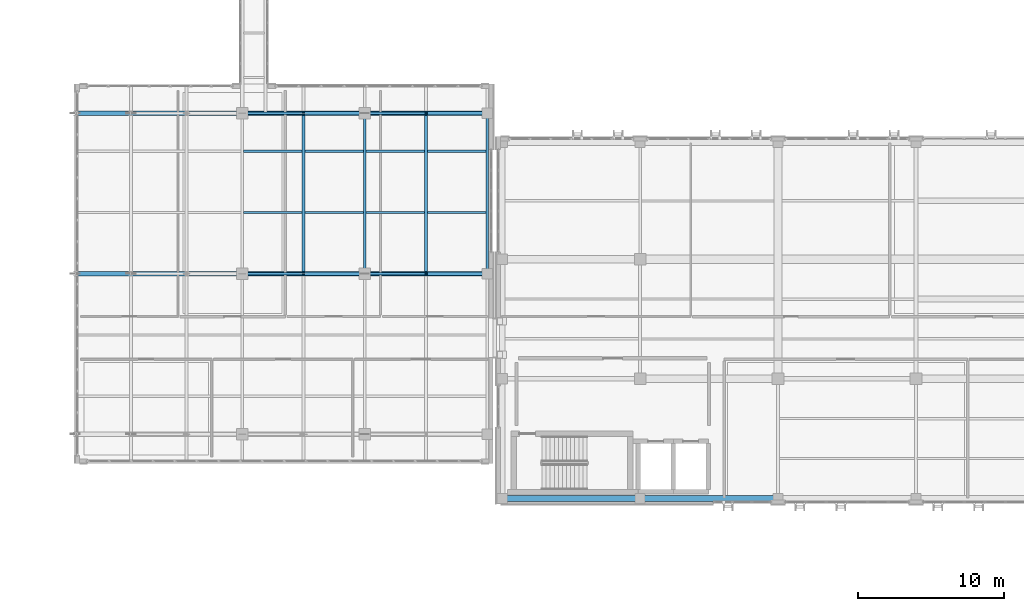
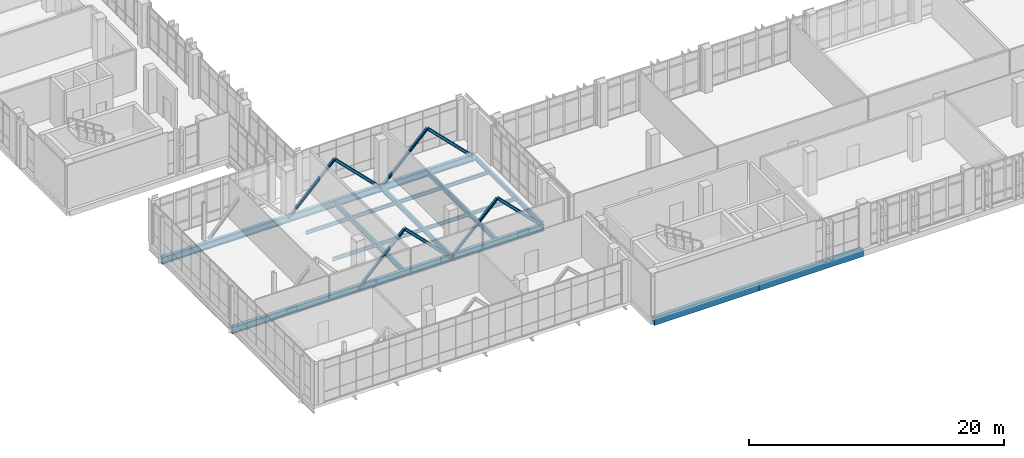
# One storey, part 8 of 165: 16 beams, 8 members.
"""IFC4 building model written with IfcOpenShell, lengths in metres."""

from ifc_helpers import new_model, si_unit, direction, frame, origin, origin_2d, place, context, subcontext, project, spatial, rectangle, i_section, extrude, material, material_profile, profile_set, type_object, element, save


model = new_model("IFC4")

# Units and contexts
model_context = context("Model", 3, precision=1e-05, world=origin(), true_north=direction((0.0, 1.0)))
body_context = subcontext(model_context, "Body", "Model", "MODEL_VIEW")
ifc_project = project(units=[si_unit("LENGTHUNIT", "METRE"), si_unit("AREAUNIT", "SQUARE_METRE"), si_unit("VOLUMEUNIT", "CUBIC_METRE"), si_unit("PLANEANGLEUNIT", "RADIAN"), si_unit("MASSUNIT", "GRAM", prefix="KILO")], contexts=[model_context])

# Site, building, storey
site_placement = place(None, origin())
site = spatial("IfcSite", under=ifc_project, at=site_placement, CompositionType="ELEMENT")
building_placement = place(site_placement, origin())
building = spatial("IfcBuilding", under=site, at=building_placement, Name="Qalavern Law Courts", CompositionType="ELEMENT")
storey_placement = place(building_placement, frame((0.0, 0.0, 14.39990234375)))
storey = spatial("IfcBuildingStorey", under=building, at=storey_placement, Name="L03", CompositionType="ELEMENT", Elevation=14.39990234375)

# Beams
ifc_material_1 = material(Name="Steel S355", Category="steel")
ifc_material_profile_1 = material_profile(ifc_material_1, i_section(OverallWidth=0.199951171875, OverallDepth=0.5, WebThickness=0.01025390625, FlangeThickness=0.01611328125, FilletRadius=0.02099609375, at=origin_2d()), Name="IPE 500")
ifc_profile_set_1 = profile_set([ifc_material_profile_1], Name="Steel S355")
beam_type_1 = type_object("IfcBeamType", Name="STR-BM-IPE500", PredefinedType="BEAM", material=ifc_profile_set_1)
for number, where, z_axis, x_axis, name in (
    (1, (29.39990234375, 21.14794921875, -0.534912109375), (0.0, 1.0, 0.0), (-1.0, 0.0, 0.0), "Foyer transverse beam L03-2.3"),
    (2, (25.199951171875, 21.14794921875, -0.534912109375), (0.0, 1.0, 0.0), (-1.0, 0.0, 0.0), "Foyer transverse beam L03-3.3"),
    (3, (21.0, 21.14794921875, -0.534912109375), (0.0, 1.0, 0.0), (-1.0, 0.0, 0.0), "Foyer transverse beam L03-4.3"),
):
    element("IfcBeam", number, at=place(storey_placement, frame(where, z_axis=z_axis, x_axis=x_axis)), inside=storey, type_object=beam_type_1, Name=name, PredefinedType="BEAM", context=body_context, shape_type="SweptSolid", body=[
        extrude(i_section(OverallWidth=0.199951171875, OverallDepth=0.5, WebThickness=0.01025390625, FlangeThickness=0.01611328125, FilletRadius=0.02099609375, at=origin_2d()), origin(), (0.0, 0.0, 1.0), 10.7041015625),
    ])

# Members
ifc_material_profile_2 = material_profile(ifc_material_1, i_section(OverallWidth=0.199951171875, OverallDepth=0.199951171875, WebThickness=0.009033203125, FlangeThickness=0.014892578125, FilletRadius=0.01806640625, at=origin_2d()), Name="HEB 200")
ifc_profile_set_2 = profile_set([ifc_material_profile_2], Name="Steel S355")
member_type_1 = type_object("IfcMemberType", Name="STR-BR-HEB200", PredefinedType="BRACE", material=ifc_profile_set_2)
for number, where, z_axis, x_axis, name in (
    (4, (29.39990234375, 21.0, 3.59521484375), (-0.706675324232, 0.0, -0.707537975038), (0.0, -1.0, 0.0), "Cantilever truss T2 diagonal L03-2"),
    (5, (21.0, 21.0, 3.59521484375), (-0.706675324232, 0.0, -0.707537975038), (0.0, -1.0, 0.0), "Cantilever truss T2 diagonal L03-4"),
    (6, (29.39990234375, 32.0, 3.59521484375), (-0.706675324232, 0.0, -0.707537975038), (0.0, -1.0, 0.0), "Cantilever truss T3 diagonal L03-2"),
    (7, (21.0, 32.0, 3.59521484375), (-0.706675324232, 0.0, -0.707537975038), (0.0, -1.0, 0.0), "Cantilever truss T3 diagonal L03-4"),
):
    element("IfcMember", number, at=place(storey_placement, frame(where, z_axis=z_axis, x_axis=x_axis)), inside=storey, type_object=member_type_1, Name=name, PredefinedType="BRACE", context=body_context, shape_type="SweptSolid", body=[
        extrude(i_section(OverallWidth=0.199951171875, OverallDepth=0.199951171875, WebThickness=0.009033203125, FlangeThickness=0.014892578125, FilletRadius=0.01806640625, at=origin_2d()), origin(), (0.0, 0.0, 1.0), 5.943359375),
    ])
ifc_material_profile_3 = material_profile(ifc_material_1, i_section(OverallWidth=0.239990234375, OverallDepth=0.239990234375, WebThickness=0.010009765625, FlangeThickness=0.01708984375, FilletRadius=0.02099609375, at=origin_2d()), Name="HEB 240")
ifc_profile_set_3 = profile_set([ifc_material_profile_3], Name="Steel S355")
member_type_2 = type_object("IfcMemberType", Name="STR-BR-HEB240", PredefinedType="BRACE", material=ifc_profile_set_3)
for number, where, z_axis, x_axis, name in (
    (8, (33.60009765625, 21.0, -0.60986328125), (-0.706695887699, 0.0, 0.707517436046), (0.0, -1.0, 0.0), "Cantilever truss T2 diagonal L03-1"),
    (9, (25.199951171875, 21.0, -0.60986328125), (-0.706675324232, 0.0, 0.707537975038), (0.0, -1.0, 0.0), "Cantilever truss T2 diagonal L03-3"),
    (10, (33.60009765625, 32.0, -0.60986328125), (-0.706695887699, 0.0, 0.707517436046), (0.0, -1.0, 0.0), "Cantilever truss T3 diagonal L03-1"),
    (11, (25.199951171875, 32.0, -0.60986328125), (-0.706675324232, 0.0, 0.707537975038), (0.0, -1.0, 0.0), "Cantilever truss T3 diagonal L03-3"),
):
    element("IfcMember", number, at=place(storey_placement, frame(where, z_axis=z_axis, x_axis=x_axis)), inside=storey, type_object=member_type_2, Name=name, PredefinedType="BRACE", context=body_context, shape_type="SweptSolid", body=[
        extrude(i_section(OverallWidth=0.239990234375, OverallDepth=0.239990234375, WebThickness=0.010009765625, FlangeThickness=0.01708984375, FilletRadius=0.02099609375, at=origin_2d()), origin(), (0.0, 0.0, 1.0), 5.943359375),
    ])

# Beams
ifc_material_profile_4 = material_profile(ifc_material_1, i_section(OverallWidth=0.159912109375, OverallDepth=0.330078125, WebThickness=0.007568359375, FlangeThickness=0.011474609375, FilletRadius=0.01806640625, at=origin_2d()), Name="IPE 330")
ifc_profile_set_4 = profile_set([ifc_material_profile_4], Name="Steel S355")
beam_type_2 = type_object("IfcBeamType", Name="STR-JST-IPE330", PredefinedType="JOIST", material=ifc_profile_set_4)
for number, where, z_axis, x_axis, name in (
    (12, (29.498046875, 25.199951171875, -0.449951171875), (1.0, 0.0, 0.0), (0.0, 1.0, 0.0), "Foyer floor joist L03-1.3"),
    (13, (29.498046875, 29.39990234375, -0.449951171875), (1.0, 0.0, 0.0), (0.0, 1.0, 0.0), "Foyer floor joist L03-1.4"),
    (14, (25.298095703125, 25.199951171875, -0.449951171875), (1.0, 0.0, 0.0), (0.0, 1.0, 0.0), "Foyer floor joist L03-2.3"),
    (15, (25.298095703125, 29.39990234375, -0.449951171875), (1.0, 0.0, 0.0), (0.0, 1.0, 0.0), "Foyer floor joist L03-2.4"),
):
    element("IfcBeam", number, at=place(storey_placement, frame(where, z_axis=z_axis, x_axis=x_axis)), inside=storey, type_object=beam_type_2, Name=name, PredefinedType="JOIST", context=body_context, shape_type="SweptSolid", body=[
        extrude(i_section(OverallWidth=0.159912109375, OverallDepth=0.330078125, WebThickness=0.007568359375, FlangeThickness=0.011474609375, FilletRadius=0.01806640625, at=origin_2d()), origin(), (0.0, 0.0, 1.0), 4.00390625),
    ])
for number, where, z_axis, x_axis, name in (
    (16, (21.097900390625, 25.199951171875, -0.449951171875), (1.0, 0.0, 0.0), (0.0, 1.0, 0.0), "Foyer floor joist L03-3.3"),
    (17, (21.097900390625, 29.39990234375, -0.449951171875), (1.0, 0.0, 0.0), (0.0, 1.0, 0.0), "Foyer floor joist L03-3.4"),
    (18, (16.89794921875, 25.199951171875, -0.449951171875), (1.0, 0.0, 0.0), (0.0, 1.0, 0.0), "Foyer floor joist L03-4.3"),
    (19, (16.89794921875, 29.39990234375, -0.449951171875), (1.0, 0.0, 0.0), (0.0, 1.0, 0.0), "Foyer floor joist L03-4.4"),
):
    element("IfcBeam", number, at=place(storey_placement, frame(where, z_axis=z_axis, x_axis=x_axis)), inside=storey, type_object=beam_type_2, Name=name, PredefinedType="JOIST", context=body_context, shape_type="SweptSolid", body=[
        extrude(i_section(OverallWidth=0.159912109375, OverallDepth=0.330078125, WebThickness=0.007568359375, FlangeThickness=0.011474609375, FilletRadius=0.01806640625, at=origin_2d()), origin(), (0.0, 0.0, 1.0), 4.004150390625),
    ])
ifc_material_profile_5 = material_profile(ifc_material_1, i_section(OverallWidth=0.18994140625, OverallDepth=0.449951171875, WebThickness=0.009521484375, FlangeThickness=0.0146484375, FilletRadius=0.02099609375, at=origin_2d()), Name="IPE 450")
ifc_profile_set_5 = profile_set([ifc_material_profile_5], Name="Steel S355")
beam_type_3 = type_object("IfcBeamType", Name="STR-SP-IPE450", PredefinedType="SPANDREL", material=ifc_profile_set_5)
beam_1_placement = place(storey_placement, frame((33.60009765625, 21.14794921875, -0.510009765625), z_axis=(0.0, 1.0, 0.0), x_axis=(-1.0, 0.0, 0.0)))
element("IfcBeam", 20, at=beam_1_placement, inside=storey, type_object=beam_type_3, Name="Foyer transverse beam L03-1.3", PredefinedType="SPANDREL", context=body_context, shape_type="SweptSolid", body=[
    extrude(i_section(OverallWidth=0.18994140625, OverallDepth=0.449951171875, WebThickness=0.009521484375, FlangeThickness=0.0146484375, FilletRadius=0.02099609375, at=origin_2d()), origin(), (0.0, 0.0, 1.0), 10.7041015625),
])
ifc_material_2 = material(Name="Concrete C40/50", Category="concrete")
ifc_material_profile_6 = material_profile(ifc_material_2, rectangle(XDim=0.39990234375, YDim=0.699951171875, at=origin_2d()), Name="RC 400x700")
ifc_profile_set_6 = profile_set([ifc_material_profile_6], Name="Concrete C40/50")
beam_type_4 = type_object("IfcBeamType", Name="STR-SP-RC400x700", PredefinedType="SPANDREL", material=ifc_profile_set_6)
beam_2_placement = place(storey_placement, frame((34.6201171875, 5.60009765625, -0.635009765625), z_axis=(1.0, 0.0, 0.0), x_axis=(0.0, 1.0, 0.0)))
element("IfcBeam", 21, at=beam_2_placement, inside=storey, type_object=beam_type_4, Name="V2 X-beam 1-1 L03", PredefinedType="SPANDREL", context=body_context, shape_type="SweptSolid", body=[
    extrude(rectangle(XDim=0.39990234375, YDim=0.699951171875, at=origin_2d()), origin(), (0.0, 0.0, 1.0), 9.4541015625),
])
beam_3_placement = place(storey_placement, frame((44.07421875, 5.60009765625, -0.635009765625), z_axis=(1.0, 0.0, 0.0), x_axis=(0.0, 1.0, 0.0)))
element("IfcBeam", 22, at=beam_3_placement, inside=storey, type_object=beam_type_4, Name="V2 X-beam 1-2 L03", PredefinedType="SPANDREL", context=body_context, shape_type="SweptSolid", body=[
    extrude(rectangle(XDim=0.39990234375, YDim=0.699951171875, at=origin_2d()), origin(), (0.0, 0.0, 1.0), 9.454345703125),
])
ifc_material_profile_7 = material_profile(ifc_material_1, i_section(OverallWidth=0.300048828125, OverallDepth=0.64990234375, WebThickness=0.01611328125, FlangeThickness=0.031005859375, FilletRadius=0.027099609375, at=origin_2d()), Name="HEB 650")
ifc_profile_set_7 = profile_set([ifc_material_profile_7], Name="Steel S355")
beam_type_5 = type_object("IfcBeamType", Name="STR-TC-HEB650", PredefinedType="BEAM", material=ifc_profile_set_7)
for number, where, z_axis, x_axis, name in (
    (23, (33.60009765625, 21.0, -0.60986328125), (-1.0, 0.0, 0.0), (0.0, -1.0, 0.0), "Cantilever foyer truss T2 continuous chord L03"),
    (24, (33.60009765625, 32.0, -0.60986328125), (-1.0, 0.0, 0.0), (0.0, -1.0, 0.0), "Cantilever foyer truss T3 continuous chord L03"),
):
    element("IfcBeam", number, at=place(storey_placement, frame(where, z_axis=z_axis, x_axis=x_axis)), inside=storey, type_object=beam_type_5, Name=name, PredefinedType="BEAM", context=body_context, shape_type="SweptSolid", body=[
        extrude(i_section(OverallWidth=0.300048828125, OverallDepth=0.64990234375, WebThickness=0.01611328125, FlangeThickness=0.031005859375, FilletRadius=0.027099609375, at=origin_2d()), origin(), (0.0, 0.0, 1.0), 28.25),
    ])

save(model, "model.ifc")
